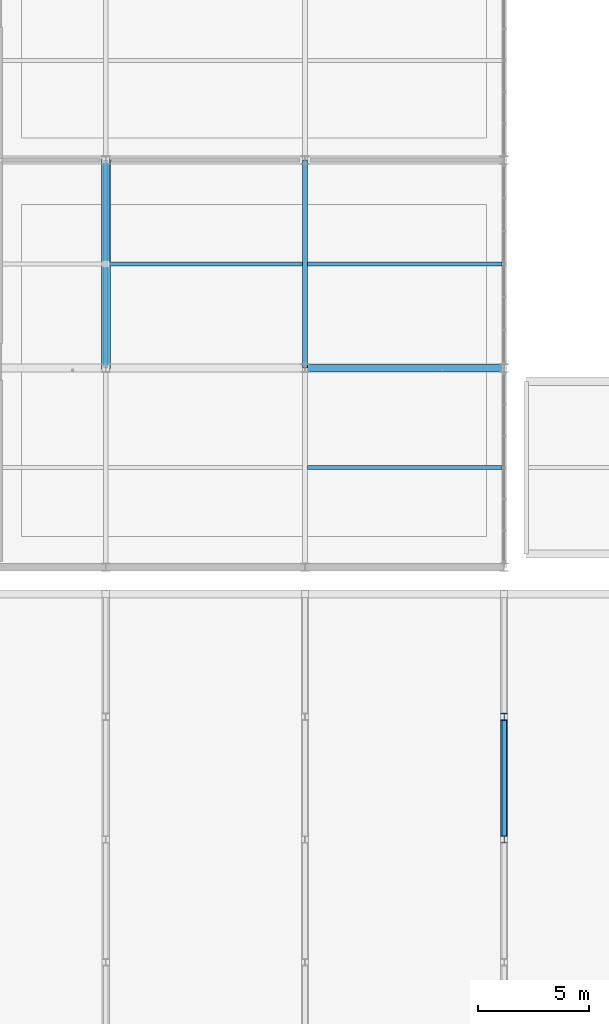
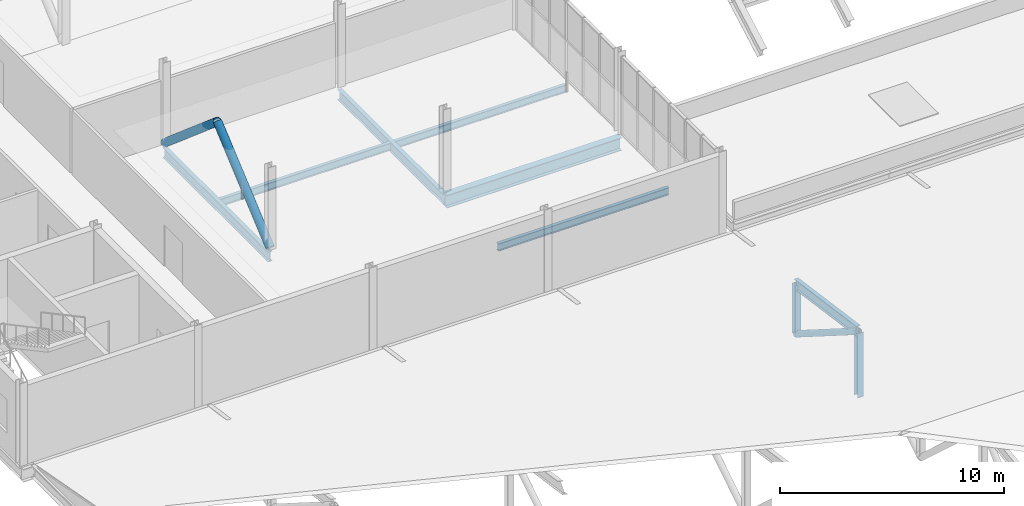
# One storey, part 12 of 103: 6 beams, 6 members.
"""IFC4 building model written with IfcOpenShell, lengths in metres."""

from ifc_helpers import new_model, si_unit, direction, frame, origin, origin_2d, place, context, subcontext, project, spatial, hollow_circle, i_section, extrude, material, material_profile, profile_set, type_object, element, save


model = new_model("IFC4")

# Units and contexts
model_context = context("Model", 3, precision=1e-05, world=origin(), true_north=direction((0.0, 1.0)))
body_context = subcontext(model_context, "Body", "Model", "MODEL_VIEW")
ifc_project = project(units=[si_unit("LENGTHUNIT", "METRE"), si_unit("AREAUNIT", "SQUARE_METRE"), si_unit("VOLUMEUNIT", "CUBIC_METRE"), si_unit("PLANEANGLEUNIT", "RADIAN"), si_unit("MASSUNIT", "GRAM", prefix="KILO")], contexts=[model_context])

# Site, building, storey
site_placement = place(None, origin())
site = spatial("IfcSite", under=ifc_project, at=site_placement, CompositionType="ELEMENT")
building_placement = place(site_placement, origin())
building = spatial("IfcBuilding", under=site, at=building_placement, Name="Cazmaro Siding Exhibition Halls", CompositionType="ELEMENT")
storey_placement = place(building_placement, frame((0.0, 0.0, 16.5)))
storey = spatial("IfcBuildingStorey", under=building, at=storey_placement, Name="L03", CompositionType="ELEMENT", Elevation=16.5)

# Beams
ifc_material_1 = material(Name="Steel ASTM A992 Grade 50", Category="steel")
ifc_material_profile_1 = material_profile(ifc_material_1, i_section(OverallWidth=0.214111328125, OverallDepth=0.549072265625, WebThickness=0.014892578125, FlangeThickness=0.02392578125, at=origin_2d()), Name="W21X93")
ifc_profile_set_1 = profile_set([ifc_material_profile_1], Name="Steel ASTM A992 Grade 50")
beam_type_1 = type_object("IfcBeamType", Name="B-01", PredefinedType="BEAM", material=ifc_profile_set_1)
for number, where, z_axis, x_axis, name in (
    (1, (18.0, 63.60009765625, -0.493896484375), (0.0, 1.0, 0.0), (-1.0, 0.0, 0.0), "Beam B-01 BM-2255"),
    (2, (27.0, 63.60009765625, -0.493896484375), (0.0, 1.0, 0.0), (-1.0, 0.0, 0.0), "Beam B-01 BM-2263"),
):
    element("IfcBeam", number, at=place(storey_placement, frame(where, z_axis=z_axis, x_axis=x_axis)), inside=storey, type_object=beam_type_1, Name=name, PredefinedType="BEAM", context=body_context, shape_type="SweptSolid", body=[
        extrude(i_section(OverallWidth=0.214111328125, OverallDepth=0.549072265625, WebThickness=0.014892578125, FlangeThickness=0.02392578125, at=origin_2d()), origin(), (0.0, 0.0, 1.0), 9.39990234375),
    ])
ifc_material_2 = material(Name="Steel ASTM A992 Grade 50", Category="steel")
ifc_material_profile_2 = material_profile(ifc_material_2, i_section(OverallWidth=0.35595703125, OverallDepth=0.696044921875, WebThickness=0.014892578125, FlangeThickness=0.02490234375, at=origin_2d()), Name="W27X146")
ifc_profile_set_2 = profile_set([ifc_material_profile_2], Name="Steel ASTM A992 Grade 50")
beam_type_2 = type_object("IfcBeamType", Name="G-05", PredefinedType="USERDEFINED", material=ifc_profile_set_2)
beam_placement = place(storey_placement, frame((27.0, 63.60009765625, -0.568115234375), z_axis=(1.0, 0.0, 0.0), x_axis=(0.0, 1.0, 0.0)))
element("IfcBeam", 3, at=beam_placement, inside=storey, type_object=beam_type_2, Name="Beam G-05 BM-2222", ObjectType="GIRDER", PredefinedType="USERDEFINED", context=body_context, shape_type="SweptSolid", body=[
    extrude(i_section(OverallWidth=0.35595703125, OverallDepth=0.696044921875, WebThickness=0.014892578125, FlangeThickness=0.02490234375, at=origin_2d()), origin(), (0.0, 0.0, 1.0), 9.0),
])
ifc_material_3 = material(Name="Steel ASTM A992 Grade 50", Category="steel")
ifc_material_profile_3 = material_profile(ifc_material_3, i_section(OverallWidth=0.177978515625, OverallDepth=0.406005859375, WebThickness=0.008056640625, FlangeThickness=0.012939453125, at=origin_2d()), Name="W16X40")
ifc_profile_set_3 = profile_set([ifc_material_profile_3], Name="Steel ASTM A992 Grade 50")
beam_type_3 = type_object("IfcBeamType", Name="J-02", PredefinedType="JOIST", material=ifc_profile_set_3)
for number, where, z_axis, x_axis, name in (
    (4, (18.10693359375, 68.300048828125, -0.423095703125), (1.0, 0.0, 0.0), (0.0, 1.0, 0.0), "Beam J-02 BM-2214"),
    (5, (27.10693359375, 59.10009765625, -0.423095703125), (1.0, 0.0, 0.0), (0.0, 1.0, 0.0), "Beam J-02 BM-2230"),
    (6, (27.10693359375, 68.300048828125, -0.423095703125), (1.0, 0.0, 0.0), (0.0, 1.0, 0.0), "Beam J-02 BM-2231"),
):
    element("IfcBeam", number, at=place(storey_placement, frame(where, z_axis=z_axis, x_axis=x_axis)), inside=storey, type_object=beam_type_3, Name=name, PredefinedType="JOIST", context=body_context, shape_type="SweptSolid", body=[
        extrude(i_section(OverallWidth=0.177978515625, OverallDepth=0.406005859375, WebThickness=0.008056640625, FlangeThickness=0.012939453125, at=origin_2d()), origin(), (0.0, 0.0, 1.0), 8.7861328125),
    ])

# Members
ifc_material_4 = material(Name="Steel ASTM A992 Grade 50", Category="steel")
ifc_material_profile_4 = material_profile(ifc_material_4, i_section(OverallWidth=0.214111328125, OverallDepth=0.549072265625, WebThickness=0.014892578125, FlangeThickness=0.02392578125, at=origin_2d()), Name="W21X93")
ifc_profile_set_4 = profile_set([ifc_material_profile_4], Name="Steel ASTM A992 Grade 50")
member_type_1 = type_object("IfcMemberType", Name="TC-04", PredefinedType="CHORD", material=ifc_profile_set_4)
member_1_placement = place(storey_placement, frame((36.0, 42.300048828125, 2.06005859375), z_axis=(0.0, 0.990267557209, -0.139176740654), x_axis=(-1.0, 0.0, 0.0)))
element("IfcMember", 7, at=member_1_placement, inside=storey, type_object=member_type_1, Name="Congress folded roof top chord TC-04 MEM-3355", PredefinedType="CHORD", context=body_context, shape_type="SweptSolid", body=[
    extrude(i_section(OverallWidth=0.214111328125, OverallDepth=0.549072265625, WebThickness=0.014892578125, FlangeThickness=0.02392578125, at=origin_2d()), origin(), (0.0, 0.0, 1.0), 5.6044921875),
])
ifc_material_5 = material(Name="Steel ASTM A992 Grade 50", Category="steel")
ifc_material_profile_5 = material_profile(ifc_material_5, i_section(OverallWidth=0.304931640625, OverallDepth=0.306884765625, WebThickness=0.010009765625, FlangeThickness=0.014892578125, at=origin_2d()), Name="W12X65")
ifc_profile_set_5 = profile_set([ifc_material_profile_5], Name="Steel ASTM A992 Grade 50")
member_type_2 = type_object("IfcMemberType", Name="TP-03", PredefinedType="POST", material=ifc_profile_set_5)
member_2_placement = place(storey_placement, frame((36.0, 42.300048828125, -1.449951171875), z_axis=(0.0, 0.0, 1.0), x_axis=(1.0, 0.0, 0.0)))
element("IfcMember", 8, at=member_2_placement, inside=storey, type_object=member_type_2, Name="Congress roof post TP-03 MEM-3366", PredefinedType="POST", context=body_context, shape_type="SweptSolid", body=[
    extrude(i_section(OverallWidth=0.304931640625, OverallDepth=0.306884765625, WebThickness=0.010009765625, FlangeThickness=0.014892578125, at=origin_2d()), origin(), (0.0, 0.0, 1.0), 3.510009765625),
])
member_3_placement = place(storey_placement, frame((36.0, 47.85009765625, -1.449951171875), z_axis=(0.0, 0.0, 1.0), x_axis=(1.0, 0.0, 0.0)))
element("IfcMember", 9, at=member_3_placement, inside=storey, type_object=member_type_2, Name="Congress roof post TP-03 MEM-3367", PredefinedType="POST", context=body_context, shape_type="SweptSolid", body=[
    extrude(i_section(OverallWidth=0.304931640625, OverallDepth=0.306884765625, WebThickness=0.010009765625, FlangeThickness=0.014892578125, at=origin_2d()), origin(), (0.0, 0.0, 1.0), 2.72998046875),
])
ifc_material_6 = material(Name="Steel ASTM A500 Grade C", Category="steel")
ifc_material_profile_6 = material_profile(ifc_material_6, hollow_circle(Radius=0.162109375, WallThickness=0.012939453125, at=origin_2d()), Name="PIPE12XS")
ifc_profile_set_6 = profile_set([ifc_material_profile_6], Name="Steel ASTM A500 Grade C")
member_type_3 = type_object("IfcMemberType", Name="WB-03", PredefinedType="BRACE", material=ifc_profile_set_6)
member_4_placement = place(storey_placement, frame((36.0, 42.300048828125, 2.06005859375), z_axis=(0.0, 0.845164526711, -0.53450624205), x_axis=(-1.0, 0.0, 0.0)))
element("IfcMember", 10, at=member_4_placement, inside=storey, type_object=member_type_3, Name="Congress roof diagonal WB-03 MEM-3357", PredefinedType="BRACE", context=body_context, shape_type="SweptSolid", body=[
    extrude(hollow_circle(Radius=0.162109375, WallThickness=0.012939453125, at=origin_2d()), origin(), (0.0, 0.0, 1.0), 6.56689453125),
])
ifc_material_7 = material(Name="Steel ASTM A500 Grade C", Category="steel")
ifc_material_profile_7 = material_profile(ifc_material_7, hollow_circle(Radius=0.202880859375, WallThickness=0.012939453125, at=origin_2d()), Name="PIPE16XS")
ifc_profile_set_7 = profile_set([ifc_material_profile_7], Name="Steel ASTM A500 Grade C")
member_type_4 = type_object("IfcMemberType", Name="WB-04", PredefinedType="BRACE", material=ifc_profile_set_7)
for number, where, z_axis, x_axis, name in (
    (11, (18.0, 63.60009765625, 0.0), (0.0, 0.760579728976, 0.649244542427), (-1.0, 0.0, 0.0), "BRBF lateral brace WB-04 MEM-3442"),
    (12, (18.0, 73.0, 0.0), (0.0, -0.760579728976, 0.649244542427), (1.0, 0.0, 0.0), "BRBF lateral brace WB-04 MEM-3443"),
):
    element("IfcMember", number, at=place(storey_placement, frame(where, z_axis=z_axis, x_axis=x_axis)), inside=storey, type_object=member_type_4, Name=name, PredefinedType="BRACE", context=body_context, shape_type="SweptSolid", body=[
        extrude(hollow_circle(Radius=0.202880859375, WallThickness=0.012939453125, at=origin_2d()), origin(), (0.0, 0.0, 1.0), 6.179443359375),
    ])

save(model, "model.ifc")
